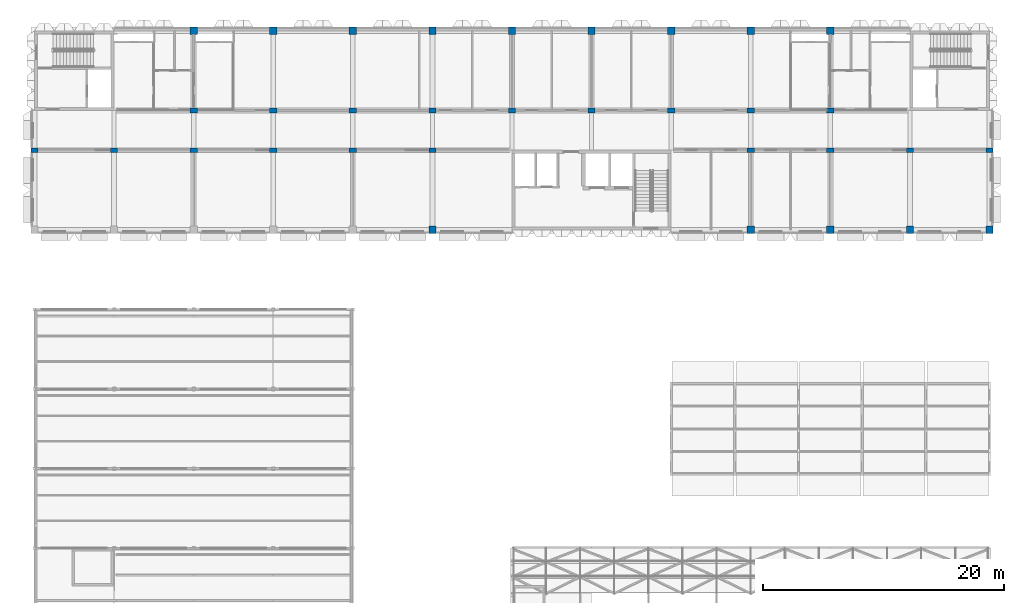
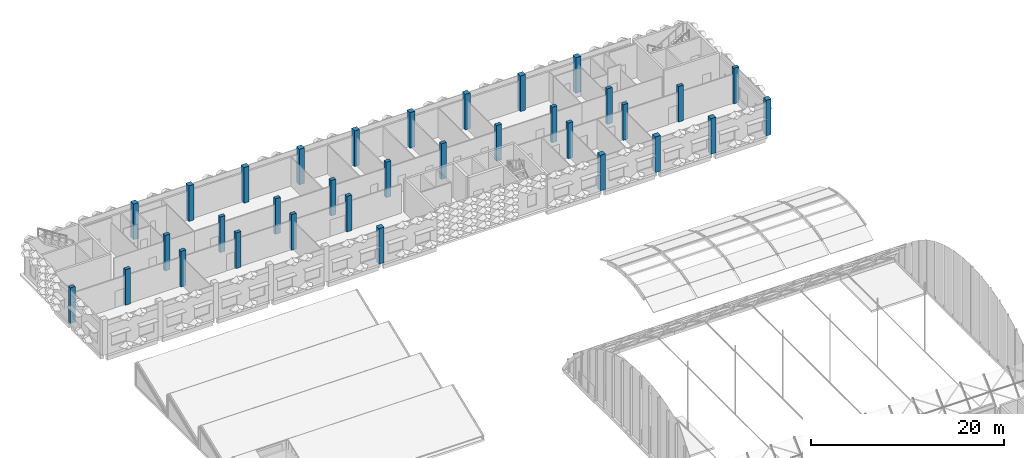
# One storey, part 4 of 109: 33 columns.
"""IFC4 building model written with IfcOpenShell, lengths in metres."""

from ifc_helpers import new_model, si_unit, direction, frame, origin, origin_2d, place, context, subcontext, project, spatial, rectangle, extrude, material, material_profile, profile_set, type_object, element, save


model = new_model("IFC4")

# Units and contexts
model_context = context("Model", 3, precision=1e-05, world=origin(), true_north=direction((0.0, 1.0)))
body_context = subcontext(model_context, "Body", "Model", "MODEL_VIEW")
ifc_project = project(units=[si_unit("LENGTHUNIT", "METRE"), si_unit("AREAUNIT", "SQUARE_METRE"), si_unit("VOLUMEUNIT", "CUBIC_METRE"), si_unit("PLANEANGLEUNIT", "RADIAN"), si_unit("MASSUNIT", "GRAM", prefix="KILO")], contexts=[model_context])

# Site, building, storey
site_placement = place(None, origin())
site = spatial("IfcSite", under=ifc_project, at=site_placement, CompositionType="ELEMENT")
building_placement = place(site_placement, origin())
building = spatial("IfcBuilding", under=site, at=building_placement, Name="Lantern Court Research Institute", CompositionType="ELEMENT")
storey_placement = place(building_placement, frame((0.0, 0.0, 14.39990234375)))
storey = spatial("IfcBuildingStorey", under=building, at=storey_placement, Name="L03", CompositionType="ELEMENT", Elevation=14.39990234375)

# Columns
ifc_material_1 = material(Name="Concrete C40/50", Category="concrete")
ifc_material_profile_1 = material_profile(ifc_material_1, rectangle(XDim=0.60009765625, YDim=0.39990234375, at=origin_2d()), Name="RC column 600 x 400")
ifc_profile_set_1 = profile_set([ifc_material_profile_1], Name="Concrete C40/50")
column_type_1 = type_object("IfcColumnType", Name="RC column 600 x 400", PredefinedType="COLUMN", material=ifc_profile_set_1)
for number, where, z_axis, x_axis, name in (
    (1, (0.0, 89.10009765625, 0.0), (0.0, 0.0, 1.0), (1.0, 0.0, 0.0), "Column L03 grid 1/K"),
    (2, (6.60009765625, 89.10009765625, 0.0), (0.0, 0.0, 1.0), (1.0, 0.0, 0.0), "Column L03 grid 2/K"),
    (3, (13.199951171875, 89.10009765625, 0.0), (0.0, 0.0, 1.0), (1.0, 0.0, 0.0), "Column L03 grid 3/K"),
    (4, (13.199951171875, 92.39990234375, 0.0), (0.0, 0.0, 1.0), (1.0, 0.0, 0.0), "Column L03 grid 3/L"),
    (5, (19.800048828125, 89.10009765625, 0.0), (0.0, 0.0, 1.0), (1.0, 0.0, 0.0), "Column L03 grid 4/K"),
    (6, (19.800048828125, 92.39990234375, 0.0), (0.0, 0.0, 1.0), (1.0, 0.0, 0.0), "Column L03 grid 4/L"),
    (7, (26.39990234375, 89.10009765625, 0.0), (0.0, 0.0, 1.0), (1.0, 0.0, 0.0), "Column L03 grid 5/K"),
    (8, (26.39990234375, 92.39990234375, 0.0), (0.0, 0.0, 1.0), (1.0, 0.0, 0.0), "Column L03 grid 5/L"),
    (9, (33.0, 89.10009765625, 0.0), (0.0, 0.0, 1.0), (1.0, 0.0, 0.0), "Column L03 grid 6/K"),
    (10, (33.0, 92.39990234375, 0.0), (0.0, 0.0, 1.0), (1.0, 0.0, 0.0), "Column L03 grid 6/L"),
    (11, (39.60009765625, 92.39990234375, 0.0), (0.0, 0.0, 1.0), (1.0, 0.0, 0.0), "Column L03 grid 7/L"),
    (12, (46.199951171875, 92.39990234375, 0.0), (0.0, 0.0, 1.0), (1.0, 0.0, 0.0), "Column L03 grid 8/L"),
    (13, (52.800048828125, 92.39990234375, 0.0), (0.0, 0.0, 1.0), (1.0, 0.0, 0.0), "Column L03 grid 9/L"),
    (14, (59.39990234375, 89.10009765625, 0.0), (0.0, 0.0, 1.0), (1.0, 0.0, 0.0), "Column L03 grid 10/K"),
    (15, (59.39990234375, 92.39990234375, 0.0), (0.0, 0.0, 1.0), (1.0, 0.0, 0.0), "Column L03 grid 10/L"),
    (16, (66.0, 89.10009765625, 0.0), (0.0, 0.0, 1.0), (1.0, 0.0, 0.0), "Column L03 grid 11/K"),
    (17, (66.0, 92.39990234375, 0.0), (0.0, 0.0, 1.0), (1.0, 0.0, 0.0), "Column L03 grid 11/L"),
    (18, (72.60009765625, 89.10009765625, 0.0), (0.0, 0.0, 1.0), (1.0, 0.0, 0.0), "Column L03 grid 12/K"),
    (19, (79.199951171875, 89.10009765625, 0.0), (0.0, 0.0, 1.0), (1.0, 0.0, 0.0), "Column L03 grid 13/K"),
):
    element("IfcColumn", number, at=place(storey_placement, frame(where, z_axis=z_axis, x_axis=x_axis)), inside=storey, type_object=column_type_1, Name=name, PredefinedType="COLUMN", context=body_context, shape_type="SweptSolid", body=[
        extrude(rectangle(XDim=0.60009765625, YDim=0.39990234375, at=origin_2d()), origin(), (0.0, 0.0, 1.0), 4.5),
    ])
ifc_material_2 = material(Name="Concrete C40/50", Category="concrete")
ifc_material_profile_2 = material_profile(ifc_material_2, rectangle(XDim=0.60009765625, YDim=0.60009765625, at=origin_2d()), Name="RC column 600 x 600")
ifc_profile_set_2 = profile_set([ifc_material_profile_2], Name="Concrete C40/50")
column_type_2 = type_object("IfcColumnType", Name="RC column 600 x 600", PredefinedType="COLUMN", material=ifc_profile_set_2)
for number, where, z_axis, x_axis, name in (
    (20, (13.199951171875, 99.0, 0.0), (0.0, 0.0, 1.0), (1.0, 0.0, 0.0), "Column L03 grid 3/M"),
    (21, (19.800048828125, 99.0, 0.0), (0.0, 0.0, 1.0), (1.0, 0.0, 0.0), "Column L03 grid 4/M"),
    (22, (26.39990234375, 99.0, 0.0), (0.0, 0.0, 1.0), (1.0, 0.0, 0.0), "Column L03 grid 5/M"),
    (23, (33.0, 82.5, 0.0), (0.0, 0.0, 1.0), (1.0, 0.0, 0.0), "Column L03 grid 6/J"),
    (24, (33.0, 99.0, 0.0), (0.0, 0.0, 1.0), (1.0, 0.0, 0.0), "Column L03 grid 6/M"),
    (25, (39.60009765625, 99.0, 0.0), (0.0, 0.0, 1.0), (1.0, 0.0, 0.0), "Column L03 grid 7/M"),
    (26, (46.199951171875, 99.0, 0.0), (0.0, 0.0, 1.0), (1.0, 0.0, 0.0), "Column L03 grid 8/M"),
    (27, (52.800048828125, 99.0, 0.0), (0.0, 0.0, 1.0), (1.0, 0.0, 0.0), "Column L03 grid 9/M"),
    (28, (59.39990234375, 82.5, 0.0), (0.0, 0.0, 1.0), (1.0, 0.0, 0.0), "Column L03 grid 10/J"),
    (29, (59.39990234375, 99.0, 0.0), (0.0, 0.0, 1.0), (1.0, 0.0, 0.0), "Column L03 grid 10/M"),
    (30, (66.0, 82.5, 0.0), (0.0, 0.0, 1.0), (1.0, 0.0, 0.0), "Column L03 grid 11/J"),
    (31, (66.0, 99.0, 0.0), (0.0, 0.0, 1.0), (1.0, 0.0, 0.0), "Column L03 grid 11/M"),
    (32, (72.60009765625, 82.5, 0.0), (0.0, 0.0, 1.0), (1.0, 0.0, 0.0), "Column L03 grid 12/J"),
    (33, (79.199951171875, 82.5, 0.0), (0.0, 0.0, 1.0), (1.0, 0.0, 0.0), "Column L03 grid 13/J"),
):
    element("IfcColumn", number, at=place(storey_placement, frame(where, z_axis=z_axis, x_axis=x_axis)), inside=storey, type_object=column_type_2, Name=name, PredefinedType="COLUMN", context=body_context, shape_type="SweptSolid", body=[
        extrude(rectangle(XDim=0.60009765625, YDim=0.60009765625, at=origin_2d()), origin(), (0.0, 0.0, 1.0), 4.5),
    ])

save(model, "model.ifc")
